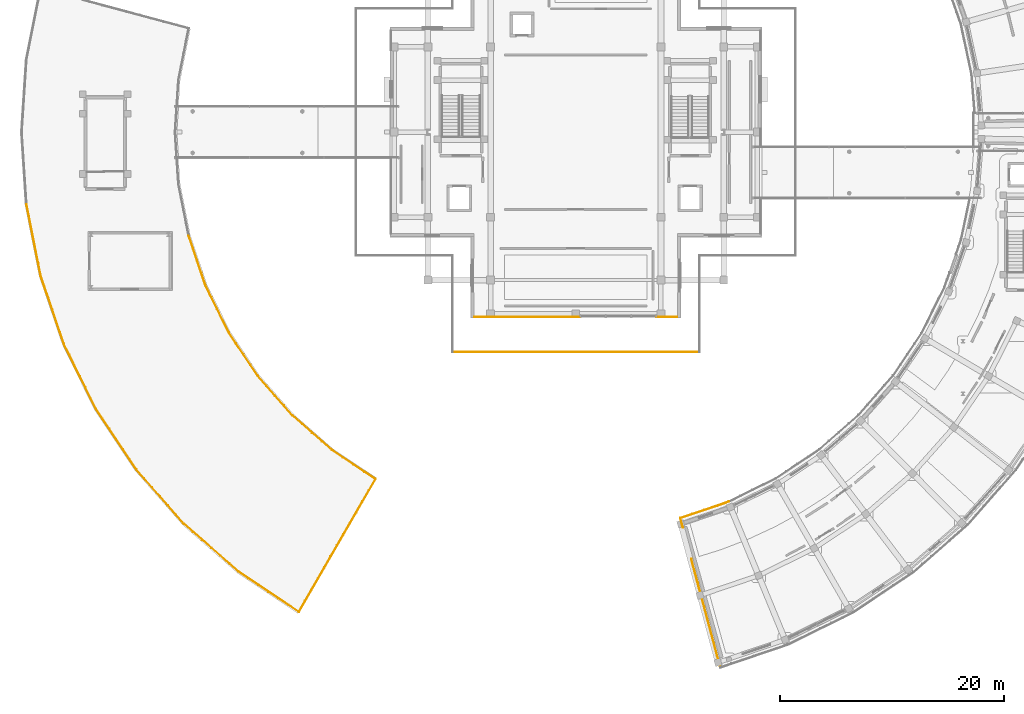
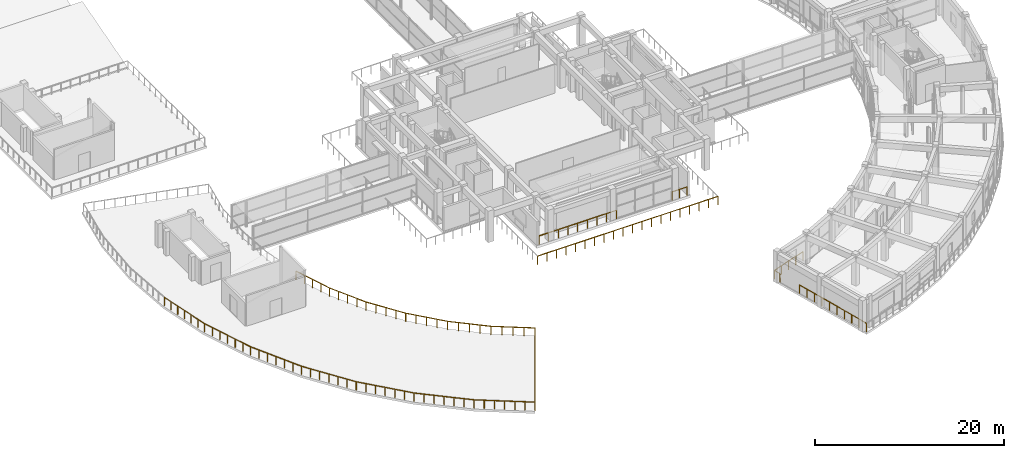
# One storey, part 42 of 53: 20 railings.
"""IFC4 building model written with IfcOpenShell, lengths in metres."""

from ifc_helpers import new_model, si_unit, direction, frame, origin, origin_2d, place, context, subcontext, project, spatial, rectangle, extrude, material, layer, layer_set, type_object, element, save


model = new_model("IFC4")

# Units and contexts
model_context = context("Model", 3, precision=1e-05, world=origin(), true_north=direction((0.0, 1.0)))
body_context = subcontext(model_context, "Body", "Model", "MODEL_VIEW")
ifc_project = project(units=[si_unit("LENGTHUNIT", "METRE"), si_unit("AREAUNIT", "SQUARE_METRE"), si_unit("VOLUMEUNIT", "CUBIC_METRE"), si_unit("PLANEANGLEUNIT", "RADIAN"), si_unit("MASSUNIT", "GRAM", prefix="KILO")], contexts=[model_context])

# Site, building, storey
site_placement = place(None, origin())
site = spatial("IfcSite", under=ifc_project, at=site_placement, CompositionType="ELEMENT")
building_placement = place(site_placement, origin())
building = spatial("IfcBuilding", under=site, at=building_placement, Name="Saryqyr Civic Hall", CompositionType="ELEMENT")
storey_placement = place(building_placement, frame((0.0, 0.0, 21.300048828125)))
storey = spatial("IfcBuildingStorey", under=building, at=storey_placement, Name="L05", CompositionType="ELEMENT", Elevation=21.300048828125)

# Railings
ifc_material_1 = material(Name="Stainless steel and laminated glass", Category="steel")
ifc_layer_1 = layer(ifc_material_1, 0.06005859375, Name="Stainless steel and laminated glass")
ifc_layer_set_1 = layer_set([ifc_layer_1], Name="Stainless steel and laminated glass")
railing_type_1 = type_object("IfcRailingType", Name="ENV-RLG-BAL-1100", PredefinedType="BALUSTRADE", material=ifc_layer_set_1)
railing_1_placement = place(storey_placement, frame((7.98291015625, 77.546875, 0.0)))
element("IfcRailing", 1, at=railing_1_placement, inside=storey, type_object=railing_type_1, Name="Perimeter safety balustrade V4-RG-L05-G04", PredefinedType="BALUSTRADE", context=body_context, shape_type="SweptSolid", body=[
    extrude(rectangle(XDim=0.048095703125, YDim=0.048095703125, at=origin_2d()), frame((0.0, 0.0, 1.076171875), z_axis=(0.195099643813, -0.980783426136, 0.0), x_axis=(0.980783426136, 0.195099643813, 0.0)), (0.0, 0.0, 1.0), 6.467041015625),
    extrude(rectangle(XDim=0.0419921875, YDim=0.0419921875, at=origin_2d()), origin(), (0.0, 0.0, 1.0), 1.052001953125),
    extrude(rectangle(XDim=0.0419921875, YDim=0.0419921875, at=origin_2d()), frame((0.210205078125, -1.05712890625, 0.0)), (0.0, 0.0, 1.0), 1.052001953125),
    extrude(rectangle(XDim=0.0419921875, YDim=0.0419921875, at=origin_2d()), frame((0.420654296875, -2.1142578125, 0.0)), (0.0, 0.0, 1.0), 1.052001953125),
    extrude(rectangle(XDim=0.0419921875, YDim=0.0419921875, at=origin_2d()), frame((0.630859375, -3.17138671875, 0.0)), (0.0, 0.0, 1.0), 1.052001953125),
    extrude(rectangle(XDim=0.0419921875, YDim=0.0419921875, at=origin_2d()), frame((0.841064453125, -4.228515625, 0.0)), (0.0, 0.0, 1.0), 1.052001953125),
    extrude(rectangle(XDim=0.0419921875, YDim=0.0419921875, at=origin_2d()), frame((1.051513671875, -5.28564453125, 0.0)), (0.0, 0.0, 1.0), 1.052001953125),
    extrude(rectangle(XDim=0.0419921875, YDim=0.0419921875, at=origin_2d()), frame((1.26171875, -6.3427734375, 0.0)), (0.0, 0.0, 1.0), 1.052001953125),
])
railing_2_placement = place(storey_placement, frame((9.24462890625, 71.2041015625, 0.0)))
element("IfcRailing", 2, at=railing_2_placement, inside=storey, type_object=railing_type_1, Name="Perimeter safety balustrade V4-RG-L05-G05", PredefinedType="BALUSTRADE", context=body_context, shape_type="SweptSolid", body=[
    extrude(rectangle(XDim=0.048095703125, YDim=0.048095703125, at=origin_2d()), frame((0.0, 0.0, 1.076171875), z_axis=(0.321443844473, -0.946928642956, 0.0), x_axis=(0.946928642956, 0.321443844473, 0.0)), (0.0, 0.0, 1.0), 6.46728515625),
    extrude(rectangle(XDim=0.0419921875, YDim=0.0419921875, at=origin_2d()), origin(), (0.0, 0.0, 1.0), 1.052001953125),
    extrude(rectangle(XDim=0.0419921875, YDim=0.0419921875, at=origin_2d()), frame((0.346435546875, -1.020751953125, 0.0)), (0.0, 0.0, 1.0), 1.052001953125),
    extrude(rectangle(XDim=0.0419921875, YDim=0.0419921875, at=origin_2d()), frame((0.69287109375, -2.041259765625, 0.0)), (0.0, 0.0, 1.0), 1.052001953125),
    extrude(rectangle(XDim=0.0419921875, YDim=0.0419921875, at=origin_2d()), frame((1.03955078125, -3.06201171875, 0.0)), (0.0, 0.0, 1.0), 1.052001953125),
    extrude(rectangle(XDim=0.0419921875, YDim=0.0419921875, at=origin_2d()), frame((1.385986328125, -4.082763671875, 0.0)), (0.0, 0.0, 1.0), 1.052001953125),
    extrude(rectangle(XDim=0.0419921875, YDim=0.0419921875, at=origin_2d()), frame((1.732421875, -5.103271484375, 0.0)), (0.0, 0.0, 1.0), 1.052001953125),
    extrude(rectangle(XDim=0.0419921875, YDim=0.0419921875, at=origin_2d()), frame((2.078857421875, -6.1240234375, 0.0)), (0.0, 0.0, 1.0), 1.052001953125),
])
railing_3_placement = place(storey_placement, frame((11.323486328125, 65.080078125, 0.0)))
element("IfcRailing", 3, at=railing_3_placement, inside=storey, type_object=railing_type_1, Name="Perimeter safety balustrade V4-RG-L05-G06", PredefinedType="BALUSTRADE", context=body_context, shape_type="SweptSolid", body=[
    extrude(rectangle(XDim=0.048095703125, YDim=0.048095703125, at=origin_2d()), frame((0.0, 0.0, 1.076171875), z_axis=(0.442268772641, -0.89688256352, 0.0), x_axis=(0.89688256352, 0.442268772641, 0.0)), (0.0, 0.0, 1.0), 6.466796875),
    extrude(rectangle(XDim=0.0419921875, YDim=0.0419921875, at=origin_2d()), origin(), (0.0, 0.0, 1.0), 1.052001953125),
    extrude(rectangle(XDim=0.0419921875, YDim=0.0419921875, at=origin_2d()), frame((0.4765625, -0.966796875, 0.0)), (0.0, 0.0, 1.0), 1.052001953125),
    extrude(rectangle(XDim=0.0419921875, YDim=0.0419921875, at=origin_2d()), frame((0.953369140625, -1.933349609375, 0.0)), (0.0, 0.0, 1.0), 1.052001953125),
    extrude(rectangle(XDim=0.0419921875, YDim=0.0419921875, at=origin_2d()), frame((1.43017578125, -2.89990234375, 0.0)), (0.0, 0.0, 1.0), 1.052001953125),
    extrude(rectangle(XDim=0.0419921875, YDim=0.0419921875, at=origin_2d()), frame((1.90673828125, -3.86669921875, 0.0)), (0.0, 0.0, 1.0), 1.052001953125),
    extrude(rectangle(XDim=0.0419921875, YDim=0.0419921875, at=origin_2d()), frame((2.38330078125, -4.83349609375, 0.0)), (0.0, 0.0, 1.0), 1.052001953125),
    extrude(rectangle(XDim=0.0419921875, YDim=0.0419921875, at=origin_2d()), frame((2.860107421875, -5.800048828125, 0.0)), (0.0, 0.0, 1.0), 1.052001953125),
])
railing_4_placement = place(storey_placement, frame((14.18359375, 59.280029296875, 0.0)))
element("IfcRailing", 4, at=railing_4_placement, inside=storey, type_object=railing_type_1, Name="Perimeter safety balustrade V4-RG-L05-G07", PredefinedType="BALUSTRADE", context=body_context, shape_type="SweptSolid", body=[
    extrude(rectangle(XDim=0.048095703125, YDim=0.048095703125, at=origin_2d()), frame((0.0, 0.0, 1.076171875), z_axis=(0.555579772076, -0.83146323843, 0.0), x_axis=(0.83146323843, 0.555579772076, 0.0)), (0.0, 0.0, 1.0), 6.467041015625),
    extrude(rectangle(XDim=0.0419921875, YDim=0.0419921875, at=origin_2d()), origin(), (0.0, 0.0, 1.0), 1.052001953125),
    extrude(rectangle(XDim=0.0419921875, YDim=0.0419921875, at=origin_2d()), frame((0.598876953125, -0.896240234375, 0.0)), (0.0, 0.0, 1.0), 1.052001953125),
    extrude(rectangle(XDim=0.0419921875, YDim=0.0419921875, at=origin_2d()), frame((1.19775390625, -1.79248046875, 0.0)), (0.0, 0.0, 1.0), 1.052001953125),
    extrude(rectangle(XDim=0.0419921875, YDim=0.0419921875, at=origin_2d()), frame((1.79638671875, -2.6884765625, 0.0)), (0.0, 0.0, 1.0), 1.052001953125),
    extrude(rectangle(XDim=0.0419921875, YDim=0.0419921875, at=origin_2d()), frame((2.395263671875, -3.584716796875, 0.0)), (0.0, 0.0, 1.0), 1.052001953125),
    extrude(rectangle(XDim=0.0419921875, YDim=0.0419921875, at=origin_2d()), frame((2.994140625, -4.48095703125, 0.0)), (0.0, 0.0, 1.0), 1.052001953125),
    extrude(rectangle(XDim=0.0419921875, YDim=0.0419921875, at=origin_2d()), frame((3.593017578125, -5.377197265625, 0.0)), (0.0, 0.0, 1.0), 1.052001953125),
])
railing_5_placement = place(storey_placement, frame((17.776611328125, 53.90283203125, 0.0)))
element("IfcRailing", 5, at=railing_5_placement, inside=storey, type_object=railing_type_1, Name="Perimeter safety balustrade V4-RG-L05-G08", PredefinedType="BALUSTRADE", context=body_context, shape_type="SweptSolid", body=[
    extrude(rectangle(XDim=0.048095703125, YDim=0.048095703125, at=origin_2d()), frame((0.0, 0.0, 1.076171875), z_axis=(0.659327393903, -0.751855962036, 0.0), x_axis=(0.751855962036, 0.659327393903, 0.0)), (0.0, 0.0, 1.0), 6.467041015625),
    extrude(rectangle(XDim=0.0419921875, YDim=0.0419921875, at=origin_2d()), origin(), (0.0, 0.0, 1.0), 1.052001953125),
    extrude(rectangle(XDim=0.0419921875, YDim=0.0419921875, at=origin_2d()), frame((0.710693359375, -0.810302734375, 0.0)), (0.0, 0.0, 1.0), 1.052001953125),
    extrude(rectangle(XDim=0.0419921875, YDim=0.0419921875, at=origin_2d()), frame((1.42138671875, -1.620849609375, 0.0)), (0.0, 0.0, 1.0), 1.052001953125),
    extrude(rectangle(XDim=0.0419921875, YDim=0.0419921875, at=origin_2d()), frame((2.1318359375, -2.43115234375, 0.0)), (0.0, 0.0, 1.0), 1.052001953125),
    extrude(rectangle(XDim=0.0419921875, YDim=0.0419921875, at=origin_2d()), frame((2.842529296875, -3.241455078125, 0.0)), (0.0, 0.0, 1.0), 1.052001953125),
    extrude(rectangle(XDim=0.0419921875, YDim=0.0419921875, at=origin_2d()), frame((3.55322265625, -4.052001953125, 0.0)), (0.0, 0.0, 1.0), 1.052001953125),
    extrude(rectangle(XDim=0.0419921875, YDim=0.0419921875, at=origin_2d()), frame((4.263916015625, -4.8623046875, 0.0)), (0.0, 0.0, 1.0), 1.052001953125),
])
railing_6_placement = place(storey_placement, frame((22.04052734375, 49.04052734375, 0.0)))
element("IfcRailing", 6, at=railing_6_placement, inside=storey, type_object=railing_type_1, Name="Perimeter safety balustrade V4-RG-L05-G09", PredefinedType="BALUSTRADE", context=body_context, shape_type="SweptSolid", body=[
    extrude(rectangle(XDim=0.048095703125, YDim=0.048095703125, at=origin_2d()), frame((0.0, 0.0, 1.076171875), z_axis=(0.751855962036, -0.659327393903, 0.0), x_axis=(0.659327393903, 0.751855962036, 0.0)), (0.0, 0.0, 1.0), 6.467041015625),
    extrude(rectangle(XDim=0.0419921875, YDim=0.0419921875, at=origin_2d()), origin(), (0.0, 0.0, 1.0), 1.052001953125),
    extrude(rectangle(XDim=0.0419921875, YDim=0.0419921875, at=origin_2d()), frame((0.810302734375, -0.710693359375, 0.0)), (0.0, 0.0, 1.0), 1.052001953125),
    extrude(rectangle(XDim=0.0419921875, YDim=0.0419921875, at=origin_2d()), frame((1.620849609375, -1.42138671875, 0.0)), (0.0, 0.0, 1.0), 1.052001953125),
    extrude(rectangle(XDim=0.0419921875, YDim=0.0419921875, at=origin_2d()), frame((2.43115234375, -2.1318359375, 0.0)), (0.0, 0.0, 1.0), 1.052001953125),
    extrude(rectangle(XDim=0.0419921875, YDim=0.0419921875, at=origin_2d()), frame((3.241455078125, -2.842529296875, 0.0)), (0.0, 0.0, 1.0), 1.052001953125),
    extrude(rectangle(XDim=0.0419921875, YDim=0.0419921875, at=origin_2d()), frame((4.052001953125, -3.55322265625, 0.0)), (0.0, 0.0, 1.0), 1.052001953125),
    extrude(rectangle(XDim=0.0419921875, YDim=0.0419921875, at=origin_2d()), frame((4.8623046875, -4.263916015625, 0.0)), (0.0, 0.0, 1.0), 1.052001953125),
])
railing_7_placement = place(storey_placement, frame((26.90283203125, 44.776611328125, 0.0)))
element("IfcRailing", 7, at=railing_7_placement, inside=storey, type_object=railing_type_1, Name="Perimeter safety balustrade V4-RG-L05-G10", PredefinedType="BALUSTRADE", context=body_context, shape_type="SweptSolid", body=[
    extrude(rectangle(XDim=0.048095703125, YDim=0.048095703125, at=origin_2d()), frame((0.0, 0.0, 1.076171875), z_axis=(0.83146323843, -0.555579772076, 0.0), x_axis=(0.555579772076, 0.83146323843, 0.0)), (0.0, 0.0, 1.0), 6.467041015625),
    extrude(rectangle(XDim=0.0419921875, YDim=0.0419921875, at=origin_2d()), origin(), (0.0, 0.0, 1.0), 1.052001953125),
    extrude(rectangle(XDim=0.0419921875, YDim=0.0419921875, at=origin_2d()), frame((0.896240234375, -0.598876953125, 0.0)), (0.0, 0.0, 1.0), 1.052001953125),
    extrude(rectangle(XDim=0.0419921875, YDim=0.0419921875, at=origin_2d()), frame((1.79248046875, -1.19775390625, 0.0)), (0.0, 0.0, 1.0), 1.052001953125),
    extrude(rectangle(XDim=0.0419921875, YDim=0.0419921875, at=origin_2d()), frame((2.6884765625, -1.79638671875, 0.0)), (0.0, 0.0, 1.0), 1.052001953125),
    extrude(rectangle(XDim=0.0419921875, YDim=0.0419921875, at=origin_2d()), frame((3.584716796875, -2.395263671875, 0.0)), (0.0, 0.0, 1.0), 1.052001953125),
    extrude(rectangle(XDim=0.0419921875, YDim=0.0419921875, at=origin_2d()), frame((4.48095703125, -2.994140625, 0.0)), (0.0, 0.0, 1.0), 1.052001953125),
    extrude(rectangle(XDim=0.0419921875, YDim=0.0419921875, at=origin_2d()), frame((5.377197265625, -3.593017578125, 0.0)), (0.0, 0.0, 1.0), 1.052001953125),
])
railing_8_placement = place(storey_placement, frame((32.280029296875, 41.18359375, 0.0)))
element("IfcRailing", 8, at=railing_8_placement, inside=storey, type_object=railing_type_1, Name="Perimeter safety balustrade V4-RG-L05-G11", PredefinedType="BALUSTRADE", context=body_context, shape_type="SweptSolid", body=[
    extrude(rectangle(XDim=0.048095703125, YDim=0.048095703125, at=origin_2d()), frame((0.0, 0.0, 1.076171875), z_axis=(0.499998975896, 0.86602599505, 0.0), x_axis=(-0.86602599505, 0.499998975896, 0.0)), (0.0, 0.0, 1.0), 13.68017578125),
    extrude(rectangle(XDim=0.0419921875, YDim=0.0419921875, at=origin_2d()), origin(), (0.0, 0.0, 1.0), 1.052001953125),
    extrude(rectangle(XDim=0.0419921875, YDim=0.0419921875, at=origin_2d()), frame((0.570068359375, 0.9873046875, 0.0)), (0.0, 0.0, 1.0), 1.052001953125),
    extrude(rectangle(XDim=0.0419921875, YDim=0.0419921875, at=origin_2d()), frame((1.14013671875, 1.974609375, 0.0)), (0.0, 0.0, 1.0), 1.052001953125),
    extrude(rectangle(XDim=0.0419921875, YDim=0.0419921875, at=origin_2d()), frame((1.7099609375, 2.9619140625, 0.0)), (0.0, 0.0, 1.0), 1.052001953125),
    extrude(rectangle(XDim=0.0419921875, YDim=0.0419921875, at=origin_2d()), frame((2.280029296875, 3.94921875, 0.0)), (0.0, 0.0, 1.0), 1.052001953125),
    extrude(rectangle(XDim=0.0419921875, YDim=0.0419921875, at=origin_2d()), frame((2.85009765625, 4.9365234375, 0.0)), (0.0, 0.0, 1.0), 1.052001953125),
    extrude(rectangle(XDim=0.0419921875, YDim=0.0419921875, at=origin_2d()), frame((3.419921875, 5.923828125, 0.0)), (0.0, 0.0, 1.0), 1.052001953125),
    extrude(rectangle(XDim=0.0419921875, YDim=0.0419921875, at=origin_2d()), frame((3.989990234375, 6.910888671875, 0.0)), (0.0, 0.0, 1.0), 1.052001953125),
    extrude(rectangle(XDim=0.0419921875, YDim=0.0419921875, at=origin_2d()), frame((4.56005859375, 7.898193359375, 0.0)), (0.0, 0.0, 1.0), 1.052001953125),
    extrude(rectangle(XDim=0.0419921875, YDim=0.0419921875, at=origin_2d()), frame((5.130126953125, 8.885498046875, 0.0)), (0.0, 0.0, 1.0), 1.052001953125),
    extrude(rectangle(XDim=0.0419921875, YDim=0.0419921875, at=origin_2d()), frame((5.7001953125, 9.872802734375, 0.0)), (0.0, 0.0, 1.0), 1.052001953125),
    extrude(rectangle(XDim=0.0419921875, YDim=0.0419921875, at=origin_2d()), frame((6.27001953125, 10.860107421875, 0.0)), (0.0, 0.0, 1.0), 1.052001953125),
    extrude(rectangle(XDim=0.0419921875, YDim=0.0419921875, at=origin_2d()), frame((6.840087890625, 11.847412109375, 0.0)), (0.0, 0.0, 1.0), 1.052001953125),
])
railing_9_placement = place(storey_placement, frame((39.1201171875, 53.031005859375, 0.0)))
element("IfcRailing", 9, at=railing_9_placement, inside=storey, type_object=railing_type_1, Name="Perimeter safety balustrade V4-RG-L05-G12", PredefinedType="BALUSTRADE", context=body_context, shape_type="SweptSolid", body=[
    extrude(rectangle(XDim=0.048095703125, YDim=0.048095703125, at=origin_2d()), frame((0.0, 0.0, 1.076171875), z_axis=(-0.831487787962, 0.55554303026, 0.0), x_axis=(-0.55554303026, -0.831487787962, 0.0)), (0.0, 0.0, 1.0), 4.677734375),
    extrude(rectangle(XDim=0.0419921875, YDim=0.0419921875, at=origin_2d()), origin(), (0.0, 0.0, 1.0), 1.052001953125),
    extrude(rectangle(XDim=0.0419921875, YDim=0.0419921875, at=origin_2d()), frame((-0.972412109375, 0.649658203125, 0.0)), (0.0, 0.0, 1.0), 1.052001953125),
    extrude(rectangle(XDim=0.0419921875, YDim=0.0419921875, at=origin_2d()), frame((-1.94482421875, 1.29931640625, 0.0)), (0.0, 0.0, 1.0), 1.052001953125),
    extrude(rectangle(XDim=0.0419921875, YDim=0.0419921875, at=origin_2d()), frame((-2.9169921875, 1.948974609375, 0.0)), (0.0, 0.0, 1.0), 1.052001953125),
    extrude(rectangle(XDim=0.0419921875, YDim=0.0419921875, at=origin_2d()), frame((-3.889404296875, 2.5986328125, 0.0)), (0.0, 0.0, 1.0), 1.052001953125),
])
railing_10_placement = place(storey_placement, frame((35.230712890625, 55.629638671875, 0.0)))
element("IfcRailing", 10, at=railing_10_placement, inside=storey, type_object=railing_type_1, Name="Perimeter safety balustrade V4-RG-L05-G13", PredefinedType="BALUSTRADE", context=body_context, shape_type="SweptSolid", body=[
    extrude(rectangle(XDim=0.048095703125, YDim=0.048095703125, at=origin_2d()), frame((0.0, 0.0, 1.076171875), z_axis=(-0.7518358217, 0.659350359982, 0.0), x_axis=(-0.659350359982, -0.7518358217, 0.0)), (0.0, 0.0, 1.0), 4.677734375),
    extrude(rectangle(XDim=0.0419921875, YDim=0.0419921875, at=origin_2d()), origin(), (0.0, 0.0, 1.0), 1.052001953125),
    extrude(rectangle(XDim=0.0419921875, YDim=0.0419921875, at=origin_2d()), frame((-0.879150390625, 0.77099609375, 0.0)), (0.0, 0.0, 1.0), 1.052001953125),
    extrude(rectangle(XDim=0.0419921875, YDim=0.0419921875, at=origin_2d()), frame((-1.75830078125, 1.5419921875, 0.0)), (0.0, 0.0, 1.0), 1.052001953125),
    extrude(rectangle(XDim=0.0419921875, YDim=0.0419921875, at=origin_2d()), frame((-2.6376953125, 2.313232421875, 0.0)), (0.0, 0.0, 1.0), 1.052001953125),
    extrude(rectangle(XDim=0.0419921875, YDim=0.0419921875, at=origin_2d()), frame((-3.516845703125, 3.084228515625, 0.0)), (0.0, 0.0, 1.0), 1.052001953125),
])
railing_11_placement = place(storey_placement, frame((31.7138671875, 58.7138671875, 0.0)))
element("IfcRailing", 11, at=railing_11_placement, inside=storey, type_object=railing_type_1, Name="Perimeter safety balustrade V4-RG-L05-G14", PredefinedType="BALUSTRADE", context=body_context, shape_type="SweptSolid", body=[
    extrude(rectangle(XDim=0.048095703125, YDim=0.048095703125, at=origin_2d()), frame((0.0, 0.0, 1.076171875), z_axis=(-0.659350359982, 0.7518358217, 0.0), x_axis=(-0.7518358217, -0.659350359982, 0.0)), (0.0, 0.0, 1.0), 4.677734375),
    extrude(rectangle(XDim=0.0419921875, YDim=0.0419921875, at=origin_2d()), origin(), (0.0, 0.0, 1.0), 1.052001953125),
    extrude(rectangle(XDim=0.0419921875, YDim=0.0419921875, at=origin_2d()), frame((-0.77099609375, 0.879150390625, 0.0)), (0.0, 0.0, 1.0), 1.052001953125),
    extrude(rectangle(XDim=0.0419921875, YDim=0.0419921875, at=origin_2d()), frame((-1.5419921875, 1.75830078125, 0.0)), (0.0, 0.0, 1.0), 1.052001953125),
    extrude(rectangle(XDim=0.0419921875, YDim=0.0419921875, at=origin_2d()), frame((-2.313232421875, 2.6376953125, 0.0)), (0.0, 0.0, 1.0), 1.052001953125),
    extrude(rectangle(XDim=0.0419921875, YDim=0.0419921875, at=origin_2d()), frame((-3.084228515625, 3.516845703125, 0.0)), (0.0, 0.0, 1.0), 1.052001953125),
])
railing_12_placement = place(storey_placement, frame((28.629638671875, 62.230712890625, 0.0)))
element("IfcRailing", 12, at=railing_12_placement, inside=storey, type_object=railing_type_1, Name="Perimeter safety balustrade V4-RG-L05-G15", PredefinedType="BALUSTRADE", context=body_context, shape_type="SweptSolid", body=[
    extrude(rectangle(XDim=0.048095703125, YDim=0.048095703125, at=origin_2d()), frame((0.0, 0.0, 1.076171875), z_axis=(-0.55554303026, 0.831487787962, 0.0), x_axis=(-0.831487787962, -0.55554303026, 0.0)), (0.0, 0.0, 1.0), 4.677734375),
    extrude(rectangle(XDim=0.0419921875, YDim=0.0419921875, at=origin_2d()), origin(), (0.0, 0.0, 1.0), 1.052001953125),
    extrude(rectangle(XDim=0.0419921875, YDim=0.0419921875, at=origin_2d()), frame((-0.649658203125, 0.972412109375, 0.0)), (0.0, 0.0, 1.0), 1.052001953125),
    extrude(rectangle(XDim=0.0419921875, YDim=0.0419921875, at=origin_2d()), frame((-1.29931640625, 1.94482421875, 0.0)), (0.0, 0.0, 1.0), 1.052001953125),
    extrude(rectangle(XDim=0.0419921875, YDim=0.0419921875, at=origin_2d()), frame((-1.948974609375, 2.9169921875, 0.0)), (0.0, 0.0, 1.0), 1.052001953125),
    extrude(rectangle(XDim=0.0419921875, YDim=0.0419921875, at=origin_2d()), frame((-2.5986328125, 3.889404296875, 0.0)), (0.0, 0.0, 1.0), 1.052001953125),
])
railing_13_placement = place(storey_placement, frame((26.031005859375, 66.1201171875, 0.0)))
element("IfcRailing", 13, at=railing_13_placement, inside=storey, type_object=railing_type_1, Name="Perimeter safety balustrade V4-RG-L05-G16", PredefinedType="BALUSTRADE", context=body_context, shape_type="SweptSolid", body=[
    extrude(rectangle(XDim=0.048095703125, YDim=0.048095703125, at=origin_2d()), frame((0.0, 0.0, 1.076171875), z_axis=(-0.442300535922, 0.896866899781, 0.0), x_axis=(-0.896866899781, -0.442300535922, 0.0)), (0.0, 0.0, 1.0), 4.677490234375),
    extrude(rectangle(XDim=0.0419921875, YDim=0.0419921875, at=origin_2d()), origin(), (0.0, 0.0, 1.0), 1.052001953125),
    extrude(rectangle(XDim=0.0419921875, YDim=0.0419921875, at=origin_2d()), frame((-0.51708984375, 1.048828125, 0.0)), (0.0, 0.0, 1.0), 1.052001953125),
    extrude(rectangle(XDim=0.0419921875, YDim=0.0419921875, at=origin_2d()), frame((-1.034423828125, 2.09765625, 0.0)), (0.0, 0.0, 1.0), 1.052001953125),
    extrude(rectangle(XDim=0.0419921875, YDim=0.0419921875, at=origin_2d()), frame((-1.5517578125, 3.146240234375, 0.0)), (0.0, 0.0, 1.0), 1.052001953125),
    extrude(rectangle(XDim=0.0419921875, YDim=0.0419921875, at=origin_2d()), frame((-2.06884765625, 4.195068359375, 0.0)), (0.0, 0.0, 1.0), 1.052001953125),
])
railing_14_placement = place(storey_placement, frame((23.962158203125, 70.315185546875, 0.0)))
element("IfcRailing", 14, at=railing_14_placement, inside=storey, type_object=railing_type_1, Name="Perimeter safety balustrade V4-RG-L05-G17", PredefinedType="BALUSTRADE", context=body_context, shape_type="SweptSolid", body=[
    extrude(rectangle(XDim=0.048095703125, YDim=0.048095703125, at=origin_2d()), frame((0.0, 0.0, 1.076171875), z_axis=(-0.321452633827, 0.946925659282, 0.0), x_axis=(-0.946925659282, -0.321452633827, 0.0)), (0.0, 0.0, 1.0), 4.677734375),
    extrude(rectangle(XDim=0.0419921875, YDim=0.0419921875, at=origin_2d()), origin(), (0.0, 0.0, 1.0), 1.052001953125),
    extrude(rectangle(XDim=0.0419921875, YDim=0.0419921875, at=origin_2d()), frame((-0.3759765625, 1.107421875, 0.0)), (0.0, 0.0, 1.0), 1.052001953125),
    extrude(rectangle(XDim=0.0419921875, YDim=0.0419921875, at=origin_2d()), frame((-0.751953125, 2.21484375, 0.0)), (0.0, 0.0, 1.0), 1.052001953125),
    extrude(rectangle(XDim=0.0419921875, YDim=0.0419921875, at=origin_2d()), frame((-1.127685546875, 3.322021484375, 0.0)), (0.0, 0.0, 1.0), 1.052001953125),
    extrude(rectangle(XDim=0.0419921875, YDim=0.0419921875, at=origin_2d()), frame((-1.503662109375, 4.429443359375, 0.0)), (0.0, 0.0, 1.0), 1.052001953125),
])
railing_15_placement = place(storey_placement, frame((45.97998046875, 64.3798828125, 0.0)))
element("IfcRailing", 15, at=railing_15_placement, inside=storey, type_object=railing_type_1, Name="Perimeter safety balustrade V1-STEPG-L05-G01", PredefinedType="BALUSTRADE", context=body_context, shape_type="SweptSolid", body=[
    extrude(rectangle(XDim=0.048095703125, YDim=0.048095703125, at=origin_2d()), frame((0.0, 0.0, 1.076171875), z_axis=(1.0, 0.0, 0.0), x_axis=(0.0, 1.0, 0.0)), (0.0, 0.0, 1.0), 22.0400390625),
    extrude(rectangle(XDim=0.0419921875, YDim=0.0419921875, at=origin_2d()), origin(), (0.0, 0.0, 1.0), 1.052001953125),
    extrude(rectangle(XDim=0.0419921875, YDim=0.0419921875, at=origin_2d()), frame((1.159912109375, 0.0, 0.0)), (0.0, 0.0, 1.0), 1.052001953125),
    extrude(rectangle(XDim=0.0419921875, YDim=0.0419921875, at=origin_2d()), frame((2.320068359375, 0.0, 0.0)), (0.0, 0.0, 1.0), 1.052001953125),
    extrude(rectangle(XDim=0.0419921875, YDim=0.0419921875, at=origin_2d()), frame((3.47998046875, 0.0, 0.0)), (0.0, 0.0, 1.0), 1.052001953125),
    extrude(rectangle(XDim=0.0419921875, YDim=0.0419921875, at=origin_2d()), frame((4.639892578125, 0.0, 0.0)), (0.0, 0.0, 1.0), 1.052001953125),
    extrude(rectangle(XDim=0.0419921875, YDim=0.0419921875, at=origin_2d()), frame((5.800048828125, 0.0, 0.0)), (0.0, 0.0, 1.0), 1.052001953125),
    extrude(rectangle(XDim=0.0419921875, YDim=0.0419921875, at=origin_2d()), frame((6.9599609375, 0.0, 0.0)), (0.0, 0.0, 1.0), 1.052001953125),
    extrude(rectangle(XDim=0.0419921875, YDim=0.0419921875, at=origin_2d()), frame((8.1201171875, 0.0, 0.0)), (0.0, 0.0, 1.0), 1.052001953125),
    extrude(rectangle(XDim=0.0419921875, YDim=0.0419921875, at=origin_2d()), frame((9.280029296875, 0.0, 0.0)), (0.0, 0.0, 1.0), 1.052001953125),
    extrude(rectangle(XDim=0.0419921875, YDim=0.0419921875, at=origin_2d()), frame((10.43994140625, 0.0, 0.0)), (0.0, 0.0, 1.0), 1.052001953125),
    extrude(rectangle(XDim=0.0419921875, YDim=0.0419921875, at=origin_2d()), frame((11.60009765625, 0.0, 0.0)), (0.0, 0.0, 1.0), 1.052001953125),
    extrude(rectangle(XDim=0.0419921875, YDim=0.0419921875, at=origin_2d()), frame((12.760009765625, 0.0, 0.0)), (0.0, 0.0, 1.0), 1.052001953125),
    extrude(rectangle(XDim=0.0419921875, YDim=0.0419921875, at=origin_2d()), frame((13.919921875, 0.0, 0.0)), (0.0, 0.0, 1.0), 1.052001953125),
    extrude(rectangle(XDim=0.0419921875, YDim=0.0419921875, at=origin_2d()), frame((15.080078125, 0.0, 0.0)), (0.0, 0.0, 1.0), 1.052001953125),
    extrude(rectangle(XDim=0.0419921875, YDim=0.0419921875, at=origin_2d()), frame((16.239990234375, 0.0, 0.0)), (0.0, 0.0, 1.0), 1.052001953125),
    extrude(rectangle(XDim=0.0419921875, YDim=0.0419921875, at=origin_2d()), frame((17.400146484375, 0.0, 0.0)), (0.0, 0.0, 1.0), 1.052001953125),
    extrude(rectangle(XDim=0.0419921875, YDim=0.0419921875, at=origin_2d()), frame((18.56005859375, 0.0, 0.0)), (0.0, 0.0, 1.0), 1.052001953125),
    extrude(rectangle(XDim=0.0419921875, YDim=0.0419921875, at=origin_2d()), frame((19.719970703125, 0.0, 0.0)), (0.0, 0.0, 1.0), 1.052001953125),
    extrude(rectangle(XDim=0.0419921875, YDim=0.0419921875, at=origin_2d()), frame((20.880126953125, 0.0, 0.0)), (0.0, 0.0, 1.0), 1.052001953125),
    extrude(rectangle(XDim=0.0419921875, YDim=0.0419921875, at=origin_2d()), frame((22.0400390625, 0.0, 0.0)), (0.0, 0.0, 1.0), 1.052001953125),
])
ifc_material_2 = material(Name="Warm brushed brass and laminated glass", Category="glass")
ifc_layer_2 = layer(ifc_material_2, 0.06005859375, Name="Warm brushed brass and laminated glass")
ifc_layer_set_2 = layer_set([ifc_layer_2], Name="Warm brushed brass and laminated glass")
railing_type_2 = type_object("IfcRailingType", Name="INT-RLG-BAL-1100", PredefinedType="BALUSTRADE", material=ifc_layer_set_2)
railing_16_placement = place(storey_placement, frame((69.906494140625, 36.218994140625, 0.0)))
element("IfcRailing", 16, at=railing_16_placement, inside=storey, type_object=railing_type_2, Name="Interior deck safety balustrade L05-045", PredefinedType="BALUSTRADE", context=body_context, shape_type="SweptSolid", body=[
    extrude(rectangle(XDim=0.048095703125, YDim=0.048095703125, at=origin_2d()), frame((0.0, 0.0, 1.09619140625), z_axis=(-0.258831910076, 0.965922379038, 0.0), x_axis=(-0.965922379038, -0.258831910076, 0.0)), (0.0, 0.0, 1.0), 10.01806640625),
    extrude(rectangle(XDim=0.0419921875, YDim=0.0419921875, at=origin_2d()), origin(), (0.0, 0.0, 1.0), 1.072021484375),
    extrude(rectangle(XDim=0.0419921875, YDim=0.0419921875, at=origin_2d()), frame((-0.2880859375, 1.0751953125, 0.0)), (0.0, 0.0, 1.0), 1.072021484375),
    extrude(rectangle(XDim=0.0419921875, YDim=0.0419921875, at=origin_2d()), frame((-0.576171875, 2.150390625, 0.0)), (0.0, 0.0, 1.0), 1.072021484375),
    extrude(rectangle(XDim=0.0419921875, YDim=0.0419921875, at=origin_2d()), frame((-0.8642578125, 3.2255859375, 0.0)), (0.0, 0.0, 1.0), 1.072021484375),
    extrude(rectangle(XDim=0.0419921875, YDim=0.0419921875, at=origin_2d()), frame((-1.15234375, 4.30078125, 0.0)), (0.0, 0.0, 1.0), 1.072021484375),
    extrude(rectangle(XDim=0.0419921875, YDim=0.0419921875, at=origin_2d()), frame((-1.440673828125, 5.3759765625, 0.0)), (0.0, 0.0, 1.0), 1.072021484375),
    extrude(rectangle(XDim=0.0419921875, YDim=0.0419921875, at=origin_2d()), frame((-1.728759765625, 6.451171875, 0.0)), (0.0, 0.0, 1.0), 1.072021484375),
    extrude(rectangle(XDim=0.0419921875, YDim=0.0419921875, at=origin_2d()), frame((-2.016845703125, 7.5263671875, 0.0)), (0.0, 0.0, 1.0), 1.072021484375),
    extrude(rectangle(XDim=0.0419921875, YDim=0.0419921875, at=origin_2d()), frame((-2.304931640625, 8.6015625, 0.0)), (0.0, 0.0, 1.0), 1.072021484375),
    extrude(rectangle(XDim=0.0419921875, YDim=0.0419921875, at=origin_2d()), frame((-2.593017578125, 9.6767578125, 0.0)), (0.0, 0.0, 1.0), 1.072021484375),
])
railing_17_placement = place(storey_placement, frame((66.556396484375, 48.720947265625, 0.0)))
element("IfcRailing", 17, at=railing_17_placement, inside=storey, type_object=railing_type_2, Name="Interior deck safety balustrade L05-046", PredefinedType="BALUSTRADE", context=body_context, shape_type="SweptSolid", body=[
    extrude(rectangle(XDim=0.048095703125, YDim=0.048095703125, at=origin_2d()), frame((0.0, 0.0, 1.09619140625), z_axis=(-0.258797820574, 0.965931513134, 0.0), x_axis=(-0.965931513134, -0.258797820574, 0.0)), (0.0, 0.0, 1.0), 0.856689453125),
    extrude(rectangle(XDim=0.0419921875, YDim=0.0419921875, at=origin_2d()), origin(), (0.0, 0.0, 1.0), 1.072021484375),
    extrude(rectangle(XDim=0.0419921875, YDim=0.0419921875, at=origin_2d()), frame((-0.2216796875, 0.827392578125, 0.0)), (0.0, 0.0, 1.0), 1.072021484375),
])
railing_18_placement = place(storey_placement, frame((66.334716796875, 49.54833984375, 0.0)))
element("IfcRailing", 18, at=railing_18_placement, inside=storey, type_object=railing_type_2, Name="Interior deck safety balustrade L05-047", PredefinedType="BALUSTRADE", context=body_context, shape_type="SweptSolid", body=[
    extrude(rectangle(XDim=0.048095703125, YDim=0.048095703125, at=origin_2d()), frame((0.0, 0.0, 1.09619140625), z_axis=(0.946921791476, 0.321464027269, 0.0), x_axis=(-0.321464027269, 0.946921791476, 0.0)), (0.0, 0.0, 1.0), 4.569580078125),
    extrude(rectangle(XDim=0.0419921875, YDim=0.0419921875, at=origin_2d()), origin(), (0.0, 0.0, 1.0), 1.072021484375),
    extrude(rectangle(XDim=0.0419921875, YDim=0.0419921875, at=origin_2d()), frame((1.081787109375, 0.3671875, 0.0)), (0.0, 0.0, 1.0), 1.072021484375),
    extrude(rectangle(XDim=0.0419921875, YDim=0.0419921875, at=origin_2d()), frame((2.16357421875, 0.734375, 0.0)), (0.0, 0.0, 1.0), 1.072021484375),
    extrude(rectangle(XDim=0.0419921875, YDim=0.0419921875, at=origin_2d()), frame((3.245361328125, 1.101806640625, 0.0)), (0.0, 0.0, 1.0), 1.072021484375),
    extrude(rectangle(XDim=0.0419921875, YDim=0.0419921875, at=origin_2d()), frame((4.3271484375, 1.468994140625, 0.0)), (0.0, 0.0, 1.0), 1.072021484375),
])
railing_19_placement = place(storey_placement, frame((66.044921875, 67.5, 0.0)))
element("IfcRailing", 19, at=railing_19_placement, inside=storey, type_object=railing_type_2, Name="Interior deck safety balustrade L05-058", PredefinedType="BALUSTRADE", context=body_context, shape_type="SweptSolid", body=[
    extrude(rectangle(XDim=0.048095703125, YDim=0.048095703125, at=origin_2d()), frame((0.0, 0.0, 1.09619140625), z_axis=(-1.0, 0.0, 0.0), x_axis=(0.0, -1.0, 0.0)), (0.0, 0.0, 1.0), 1.8349609375),
    extrude(rectangle(XDim=0.0419921875, YDim=0.0419921875, at=origin_2d()), origin(), (0.0, 0.0, 1.0), 1.072021484375),
    extrude(rectangle(XDim=0.0419921875, YDim=0.0419921875, at=origin_2d()), frame((-0.91748046875, 0.0, 0.0)), (0.0, 0.0, 1.0), 1.072021484375),
    extrude(rectangle(XDim=0.0419921875, YDim=0.0419921875, at=origin_2d()), frame((-1.8349609375, 0.0, 0.0)), (0.0, 0.0, 1.0), 1.072021484375),
])
railing_20_placement = place(storey_placement, frame((57.389892578125, 67.5, 0.0)))
element("IfcRailing", 20, at=railing_20_placement, inside=storey, type_object=railing_type_2, Name="Interior deck safety balustrade L05-059", PredefinedType="BALUSTRADE", context=body_context, shape_type="SweptSolid", body=[
    extrude(rectangle(XDim=0.048095703125, YDim=0.048095703125, at=origin_2d()), frame((0.0, 0.0, 1.09619140625), z_axis=(-1.0, 0.0, 0.0), x_axis=(0.0, -1.0, 0.0)), (0.0, 0.0, 1.0), 9.434814453125),
    extrude(rectangle(XDim=0.0419921875, YDim=0.0419921875, at=origin_2d()), origin(), (0.0, 0.0, 1.0), 1.072021484375),
    extrude(rectangle(XDim=0.0419921875, YDim=0.0419921875, at=origin_2d()), frame((-1.179443359375, 0.0, 0.0)), (0.0, 0.0, 1.0), 1.072021484375),
    extrude(rectangle(XDim=0.0419921875, YDim=0.0419921875, at=origin_2d()), frame((-2.358642578125, 0.0, 0.0)), (0.0, 0.0, 1.0), 1.072021484375),
    extrude(rectangle(XDim=0.0419921875, YDim=0.0419921875, at=origin_2d()), frame((-3.5380859375, 0.0, 0.0)), (0.0, 0.0, 1.0), 1.072021484375),
    extrude(rectangle(XDim=0.0419921875, YDim=0.0419921875, at=origin_2d()), frame((-4.71728515625, 0.0, 0.0)), (0.0, 0.0, 1.0), 1.072021484375),
    extrude(rectangle(XDim=0.0419921875, YDim=0.0419921875, at=origin_2d()), frame((-5.896728515625, 0.0, 0.0)), (0.0, 0.0, 1.0), 1.072021484375),
    extrude(rectangle(XDim=0.0419921875, YDim=0.0419921875, at=origin_2d()), frame((-7.076171875, 0.0, 0.0)), (0.0, 0.0, 1.0), 1.072021484375),
    extrude(rectangle(XDim=0.0419921875, YDim=0.0419921875, at=origin_2d()), frame((-8.25537109375, 0.0, 0.0)), (0.0, 0.0, 1.0), 1.072021484375),
    extrude(rectangle(XDim=0.0419921875, YDim=0.0419921875, at=origin_2d()), frame((-9.434814453125, 0.0, 0.0)), (0.0, 0.0, 1.0), 1.072021484375),
])

save(model, "model.ifc")
